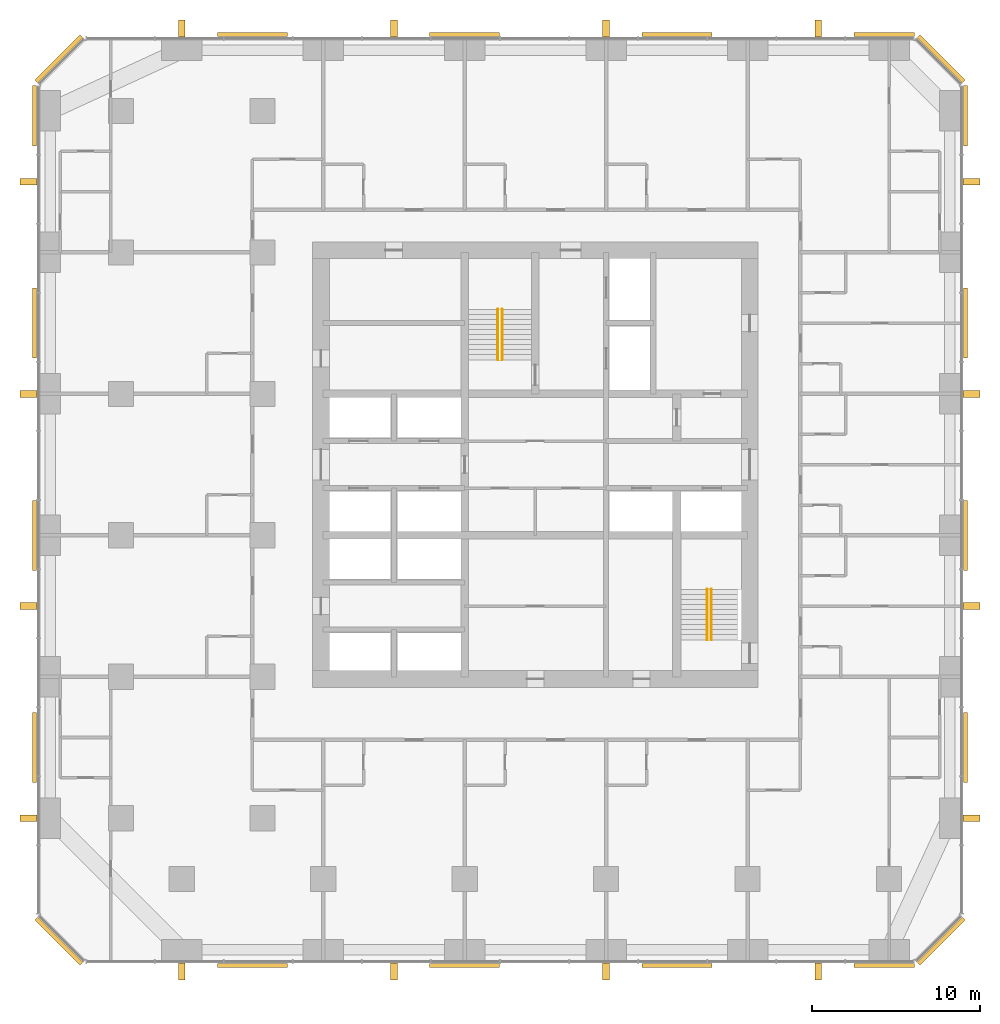
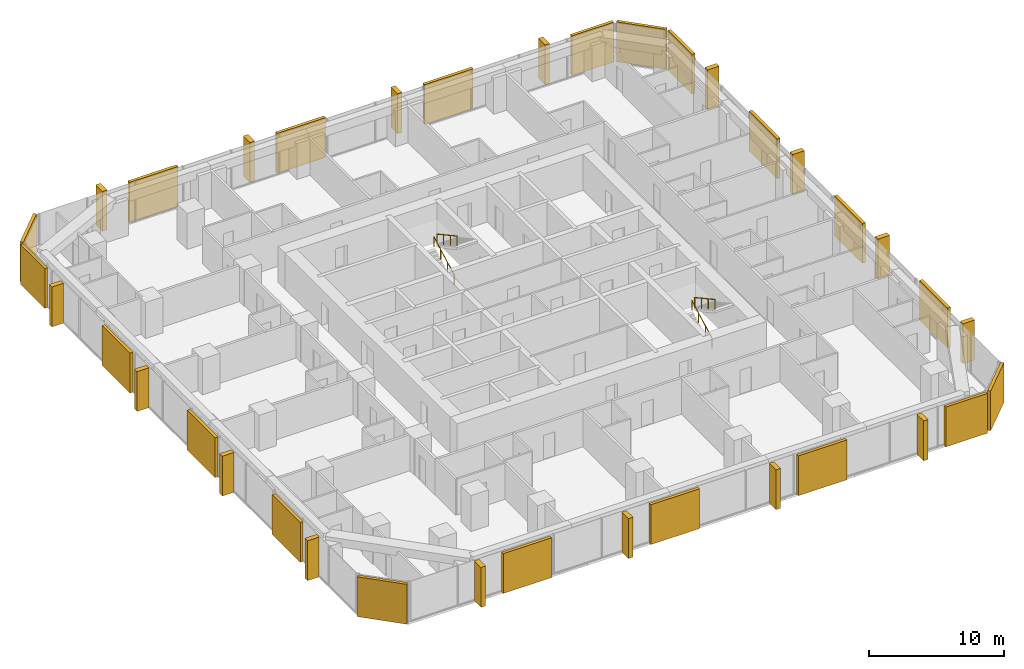
# One storey, part 13 of 13: 20 coverings, 16 shading devices, 4 railings.
"""IFC4 building model written with IfcOpenShell, lengths in metres."""

from ifc_helpers import new_model, si_unit, direction, frame, origin, origin_2d, place, context, subcontext, project, spatial, rectangle, circle, extrude, material, layer, layer_set, type_object, element, save


model = new_model("IFC4")

# Units and contexts
model_context = context("Model", 3, precision=1e-05, world=origin(), true_north=direction((0.0, 1.0)))
body_context = subcontext(model_context, "Body", "Model", "MODEL_VIEW")
ifc_project = project(units=[si_unit("LENGTHUNIT", "METRE"), si_unit("AREAUNIT", "SQUARE_METRE"), si_unit("VOLUMEUNIT", "CUBIC_METRE"), si_unit("PLANEANGLEUNIT", "RADIAN"), si_unit("MASSUNIT", "GRAM", prefix="KILO")], contexts=[model_context])

# Site, building, storey
site_placement = place(None, origin())
site = spatial("IfcSite", under=ifc_project, at=site_placement, CompositionType="ELEMENT")
building_placement = place(site_placement, origin())
building = spatial("IfcBuilding", under=site, at=building_placement, Name="Dunama Terrace Hotel", CompositionType="ELEMENT")
storey_placement = place(building_placement, frame((0.0, 0.0, 118.800048828125)))
storey = spatial("IfcBuildingStorey", under=building, at=storey_placement, Name="L30", CompositionType="ELEMENT", Elevation=118.800048828125)

# Railings
ifc_material_1 = material(Name="Stainless steel handrail", Category="steel")
railing_type = type_object("IfcRailingType", Name="Stair handrail 900", PredefinedType="HANDRAIL", material=ifc_material_1)
railing_1_placement = place(storey_placement, frame((27.175048828125, 35.625, 0.16357421875)))
element("IfcRailing", 1, at=railing_1_placement, inside=storey, type_object=railing_type, Name="Handrail ST1 L30", PredefinedType="HANDRAIL", context=body_context, shape_type="SweptSolid", body=[
    extrude(circle(Radius=0.02392578125, at=origin_2d()), frame((0.0, 0.0, 0.8759765625), z_axis=(0.0, 0.877881921179, 0.478877158013), x_axis=(-1.0, 0.0, 0.0)), (0.0, 0.0, 1.0), 3.417236328125),
    extrude(circle(Radius=0.02099609375, at=origin_2d()), origin(), (0.0, 0.0, 1.0), 0.851806640625),
    extrude(circle(Radius=0.02099609375, at=origin_2d()), frame((0.0, 1.0, 0.54541015625)), (0.0, 0.0, 1.0), 0.851806640625),
    extrude(circle(Radius=0.02099609375, at=origin_2d()), frame((0.0, 2.0, 1.091064453125)), (0.0, 0.0, 1.0), 0.851806640625),
    extrude(circle(Radius=0.02099609375, at=origin_2d()), frame((0.0, 3.0, 1.636474609375)), (0.0, 0.0, 1.0), 0.851806640625),
])
railing_2_placement = place(storey_placement, frame((27.425048828125, 38.625, 1.963623046875)))
element("IfcRailing", 2, at=railing_2_placement, inside=storey, type_object=railing_type, Name="Handrail ST1 L30", PredefinedType="HANDRAIL", context=body_context, shape_type="SweptSolid", body=[
    extrude(circle(Radius=0.02392578125, at=origin_2d()), frame((0.0, 0.0, 0.8759765625), z_axis=(0.0, -0.877911954615, 0.47882209634), x_axis=(1.0, 0.0, 0.0)), (0.0, 0.0, 1.0), 3.417236328125),
    extrude(circle(Radius=0.02099609375, at=origin_2d()), origin(), (0.0, 0.0, 1.0), 0.851806640625),
    extrude(circle(Radius=0.02099609375, at=origin_2d()), frame((0.0, -1.0, 0.54541015625)), (0.0, 0.0, 1.0), 0.851806640625),
    extrude(circle(Radius=0.02099609375, at=origin_2d()), frame((0.0, -2.0, 1.0908203125)), (0.0, 0.0, 1.0), 0.851806640625),
    extrude(circle(Radius=0.02099609375, at=origin_2d()), frame((0.0, -3.0, 1.63623046875)), (0.0, 0.0, 1.0), 0.851806640625),
])
railing_3_placement = place(storey_placement, frame((39.60009765625, 19.0, 0.16357421875)))
element("IfcRailing", 3, at=railing_3_placement, inside=storey, type_object=railing_type, Name="Handrail ST2 L30", PredefinedType="HANDRAIL", context=body_context, shape_type="SweptSolid", body=[
    extrude(circle(Radius=0.02392578125, at=origin_2d()), frame((0.0, 0.0, 0.8759765625), z_axis=(0.0, 0.877881921179, 0.478877158013), x_axis=(-1.0, 0.0, 0.0)), (0.0, 0.0, 1.0), 3.417236328125),
    extrude(circle(Radius=0.02099609375, at=origin_2d()), origin(), (0.0, 0.0, 1.0), 0.851806640625),
    extrude(circle(Radius=0.02099609375, at=origin_2d()), frame((0.0, 1.0, 0.54541015625)), (0.0, 0.0, 1.0), 0.851806640625),
    extrude(circle(Radius=0.02099609375, at=origin_2d()), frame((0.0, 2.0, 1.091064453125)), (0.0, 0.0, 1.0), 0.851806640625),
    extrude(circle(Radius=0.02099609375, at=origin_2d()), frame((0.0, 3.0, 1.636474609375)), (0.0, 0.0, 1.0), 0.851806640625),
])
railing_4_placement = place(storey_placement, frame((39.85009765625, 22.0, 1.963623046875)))
element("IfcRailing", 4, at=railing_4_placement, inside=storey, type_object=railing_type, Name="Handrail ST2 L30", PredefinedType="HANDRAIL", context=body_context, shape_type="SweptSolid", body=[
    extrude(circle(Radius=0.02392578125, at=origin_2d()), frame((0.0, 0.0, 0.8759765625), z_axis=(0.0, -0.877911954615, 0.47882209634), x_axis=(1.0, 0.0, 0.0)), (0.0, 0.0, 1.0), 3.417236328125),
    extrude(circle(Radius=0.02099609375, at=origin_2d()), origin(), (0.0, 0.0, 1.0), 0.851806640625),
    extrude(circle(Radius=0.02099609375, at=origin_2d()), frame((0.0, -1.0, 0.54541015625)), (0.0, 0.0, 1.0), 0.851806640625),
    extrude(circle(Radius=0.02099609375, at=origin_2d()), frame((0.0, -2.0, 1.0908203125)), (0.0, 0.0, 1.0), 0.851806640625),
    extrude(circle(Radius=0.02099609375, at=origin_2d()), frame((0.0, -3.0, 1.63623046875)), (0.0, 0.0, 1.0), 0.851806640625),
])

# Coverings
ifc_material_2 = material(Name="Warm reconstituted stone panel", Category="masonry")
ifc_layer_1 = layer(ifc_material_2, 0.25)
ifc_layer_set_1 = layer_set([ifc_layer_1], Name="Stone diagonal panel")
covering_type = type_object("IfcCoveringType", Name="Stone diagonal panel", PredefinedType="CLADDING", material=ifc_layer_set_1)
for number, where, z_axis, x_axis, name in (
    (5, (12.60009765625, -0.343017578125, 0.001953125), (0.0, 0.0, 1.0), (1.0, 0.0, 0.0), "Stone diagonal panel L30"),
    (6, (25.199951171875, -0.343017578125, 0.001953125), (0.0, 0.0, 1.0), (1.0, 0.0, 0.0), "Stone diagonal panel L30"),
    (7, (37.800048828125, -0.343017578125, 0.001953125), (0.0, 0.0, 1.0), (1.0, 0.0, 0.0), "Stone diagonal panel L30"),
):
    element("IfcCovering", number, at=place(storey_placement, frame(where, z_axis=z_axis, x_axis=x_axis)), inside=storey, type_object=covering_type, Name=name, PredefinedType="CLADDING", context=body_context, shape_type="SweptSolid", body=[
        extrude(rectangle(XDim=4.14990234375, YDim=0.25, at=origin_2d()), origin(), (0.0, 0.0, 1.0), 3.595947265625),
    ])
covering_1_placement = place(storey_placement, frame((50.110107421875, -0.343017578125, 0.001953125), z_axis=(0.0, 0.0, 1.0), x_axis=(1.0, 0.0, 0.0)))
element("IfcCovering", 8, at=covering_1_placement, inside=storey, type_object=covering_type, Name="Stone diagonal panel L30", PredefinedType="CLADDING", context=body_context, shape_type="SweptSolid", body=[
    extrude(rectangle(XDim=3.570068359375, YDim=0.25, at=origin_2d()), origin(), (0.0, 0.0, 1.0), 3.595947265625),
])
covering_2_placement = place(storey_placement, frame((53.492919921875, 1.10693359375, 0.001953125), z_axis=(0.0, 0.0, 1.0), x_axis=(0.707106781187, 0.707106781187, 0.0)))
element("IfcCovering", 9, at=covering_2_placement, inside=storey, type_object=covering_type, Name="Stone diagonal panel L30", PredefinedType="CLADDING", context=body_context, shape_type="SweptSolid", body=[
    extrude(rectangle(XDim=3.808349609375, YDim=0.25, at=origin_2d()), origin(), (0.0, 0.0, 1.0), 3.595947265625),
])
for number, where, z_axis, x_axis, name in (
    (10, (54.943115234375, 12.60009765625, 0.001953125), (0.0, 0.0, 1.0), (0.0, 1.0, 0.0), "Stone diagonal panel L30"),
    (11, (54.943115234375, 25.199951171875, 0.001953125), (0.0, 0.0, 1.0), (0.0, 1.0, 0.0), "Stone diagonal panel L30"),
    (12, (54.943115234375, 37.800048828125, 0.001953125), (0.0, 0.0, 1.0), (0.0, 1.0, 0.0), "Stone diagonal panel L30"),
):
    element("IfcCovering", number, at=place(storey_placement, frame(where, z_axis=z_axis, x_axis=x_axis)), inside=storey, type_object=covering_type, Name=name, PredefinedType="CLADDING", context=body_context, shape_type="SweptSolid", body=[
        extrude(rectangle(XDim=4.14990234375, YDim=0.25, at=origin_2d()), origin(), (0.0, 0.0, 1.0), 3.595947265625),
    ])
covering_3_placement = place(storey_placement, frame((54.943115234375, 50.110107421875, 0.001953125), z_axis=(0.0, 0.0, 1.0), x_axis=(0.0, 1.0, 0.0)))
element("IfcCovering", 13, at=covering_3_placement, inside=storey, type_object=covering_type, Name="Stone diagonal panel L30", PredefinedType="CLADDING", context=body_context, shape_type="SweptSolid", body=[
    extrude(rectangle(XDim=3.570068359375, YDim=0.25, at=origin_2d()), origin(), (0.0, 0.0, 1.0), 3.595947265625),
])
covering_4_placement = place(storey_placement, frame((53.492919921875, 53.492919921875, 0.001953125), z_axis=(0.0, 0.0, 1.0), x_axis=(-0.707106781187, 0.707106781187, 0.0)))
element("IfcCovering", 14, at=covering_4_placement, inside=storey, type_object=covering_type, Name="Stone diagonal panel L30", PredefinedType="CLADDING", context=body_context, shape_type="SweptSolid", body=[
    extrude(rectangle(XDim=3.808349609375, YDim=0.25, at=origin_2d()), origin(), (0.0, 0.0, 1.0), 3.595947265625),
])
covering_5_placement = place(storey_placement, frame((50.110107421875, 54.943115234375, 0.001953125), z_axis=(0.0, 0.0, 1.0), x_axis=(-1.0, 0.0, 0.0)))
element("IfcCovering", 15, at=covering_5_placement, inside=storey, type_object=covering_type, Name="Stone diagonal panel L30", PredefinedType="CLADDING", context=body_context, shape_type="SweptSolid", body=[
    extrude(rectangle(XDim=3.570068359375, YDim=0.25, at=origin_2d()), origin(), (0.0, 0.0, 1.0), 3.595947265625),
])
for number, where, z_axis, x_axis, name in (
    (16, (37.800048828125, 54.943115234375, 0.001953125), (0.0, 0.0, 1.0), (-1.0, 0.0, 0.0), "Stone diagonal panel L30"),
    (17, (25.199951171875, 54.943115234375, 0.001953125), (0.0, 0.0, 1.0), (-1.0, 0.0, 0.0), "Stone diagonal panel L30"),
    (18, (12.60009765625, 54.943115234375, 0.001953125), (0.0, 0.0, 1.0), (-1.0, 0.0, 0.0), "Stone diagonal panel L30"),
):
    element("IfcCovering", number, at=place(storey_placement, frame(where, z_axis=z_axis, x_axis=x_axis)), inside=storey, type_object=covering_type, Name=name, PredefinedType="CLADDING", context=body_context, shape_type="SweptSolid", body=[
        extrude(rectangle(XDim=4.14990234375, YDim=0.25, at=origin_2d()), origin(), (0.0, 0.0, 1.0), 3.595947265625),
    ])
covering_6_placement = place(storey_placement, frame((1.10693359375, 53.492919921875, 0.001953125), z_axis=(0.0, 0.0, 1.0), x_axis=(-0.707106781187, -0.707106781187, 0.0)))
element("IfcCovering", 19, at=covering_6_placement, inside=storey, type_object=covering_type, Name="Stone diagonal panel L30", PredefinedType="CLADDING", context=body_context, shape_type="SweptSolid", body=[
    extrude(rectangle(XDim=3.808349609375, YDim=0.25, at=origin_2d()), origin(), (0.0, 0.0, 1.0), 3.595947265625),
])
covering_7_placement = place(storey_placement, frame((-0.343017578125, 50.110107421875, 0.001953125), z_axis=(0.0, 0.0, 1.0), x_axis=(0.0, -1.0, 0.0)))
element("IfcCovering", 20, at=covering_7_placement, inside=storey, type_object=covering_type, Name="Stone diagonal panel L30", PredefinedType="CLADDING", context=body_context, shape_type="SweptSolid", body=[
    extrude(rectangle(XDim=3.570068359375, YDim=0.25, at=origin_2d()), origin(), (0.0, 0.0, 1.0), 3.595947265625),
])
for number, where, z_axis, x_axis, name in (
    (21, (-0.343017578125, 37.800048828125, 0.001953125), (0.0, 0.0, 1.0), (0.0, -1.0, 0.0), "Stone diagonal panel L30"),
    (22, (-0.343017578125, 25.199951171875, 0.001953125), (0.0, 0.0, 1.0), (0.0, -1.0, 0.0), "Stone diagonal panel L30"),
    (23, (-0.343017578125, 12.60009765625, 0.001953125), (0.0, 0.0, 1.0), (0.0, -1.0, 0.0), "Stone diagonal panel L30"),
):
    element("IfcCovering", number, at=place(storey_placement, frame(where, z_axis=z_axis, x_axis=x_axis)), inside=storey, type_object=covering_type, Name=name, PredefinedType="CLADDING", context=body_context, shape_type="SweptSolid", body=[
        extrude(rectangle(XDim=4.14990234375, YDim=0.25, at=origin_2d()), origin(), (0.0, 0.0, 1.0), 3.595947265625),
    ])
covering_8_placement = place(storey_placement, frame((1.10693359375, 1.10693359375, 0.001953125), z_axis=(0.0, 0.0, 1.0), x_axis=(0.707106781187, -0.707106781187, 0.0)))
element("IfcCovering", 24, at=covering_8_placement, inside=storey, type_object=covering_type, Name="Stone diagonal panel L30", PredefinedType="CLADDING", context=body_context, shape_type="SweptSolid", body=[
    extrude(rectangle(XDim=3.808349609375, YDim=0.25, at=origin_2d()), origin(), (0.0, 0.0, 1.0), 3.595947265625),
])

# Shading devices
ifc_material_3 = material(Name="Warm reconstituted stone fin", Category="masonry")
ifc_layer_2 = layer(ifc_material_3, 0.39990234375)
ifc_layer_set_2 = layer_set([ifc_layer_2], Name="Warm stone fin 400x1000")
shading_device_type = type_object("IfcShadingDeviceType", Name="Warm stone fin 400x1000", PredefinedType="USERDEFINED", material=ifc_layer_set_2)
for number, where, z_axis, x_axis, name in (
    (25, (8.39990234375, -0.697998046875, 0.0), (0.0, 0.0, 1.0), (1.0, 0.0, 0.0), "Stone fin"),
    (26, (21.0, -0.697998046875, 0.0), (0.0, 0.0, 1.0), (1.0, 0.0, 0.0), "Stone fin"),
    (27, (33.60009765625, -0.697998046875, 0.0), (0.0, 0.0, 1.0), (1.0, 0.0, 0.0), "Stone fin"),
    (28, (46.199951171875, -0.697998046875, 0.0), (0.0, 0.0, 1.0), (1.0, 0.0, 0.0), "Stone fin"),
    (29, (55.298095703125, 8.39990234375, 0.0), (0.0, 0.0, 1.0), (0.0, 1.0, 0.0), "Stone fin"),
    (30, (55.298095703125, 21.0, 0.0), (0.0, 0.0, 1.0), (0.0, 1.0, 0.0), "Stone fin"),
    (31, (55.298095703125, 33.60009765625, 0.0), (0.0, 0.0, 1.0), (0.0, 1.0, 0.0), "Stone fin"),
    (32, (55.298095703125, 46.199951171875, 0.0), (0.0, 0.0, 1.0), (0.0, 1.0, 0.0), "Stone fin"),
    (33, (46.199951171875, 55.298095703125, 0.0), (0.0, 0.0, 1.0), (-1.0, 0.0, 0.0), "Stone fin"),
    (34, (33.60009765625, 55.298095703125, 0.0), (0.0, 0.0, 1.0), (-1.0, 0.0, 0.0), "Stone fin"),
    (35, (21.0, 55.298095703125, 0.0), (0.0, 0.0, 1.0), (-1.0, 0.0, 0.0), "Stone fin"),
    (36, (8.39990234375, 55.298095703125, 0.0), (0.0, 0.0, 1.0), (-1.0, 0.0, 0.0), "Stone fin"),
    (37, (-0.697998046875, 46.199951171875, 0.0), (0.0, 0.0, 1.0), (0.0, -1.0, 0.0), "Stone fin"),
    (38, (-0.697998046875, 33.60009765625, 0.0), (0.0, 0.0, 1.0), (0.0, -1.0, 0.0), "Stone fin"),
    (39, (-0.697998046875, 21.0, 0.0), (0.0, 0.0, 1.0), (0.0, -1.0, 0.0), "Stone fin"),
    (40, (-0.697998046875, 8.39990234375, 0.0), (0.0, 0.0, 1.0), (0.0, -1.0, 0.0), "Stone fin"),
):
    element("IfcShadingDevice", number, at=place(storey_placement, frame(where, z_axis=z_axis, x_axis=x_axis)), inside=storey, type_object=shading_device_type, Name=name, ObjectType="FIN", PredefinedType="USERDEFINED", context=body_context, shape_type="SweptSolid", body=[
        extrude(rectangle(XDim=0.39990234375, YDim=1.0, at=origin_2d()), origin(), (0.0, 0.0, 1.0), 3.60009765625),
    ])

save(model, "model.ifc")
